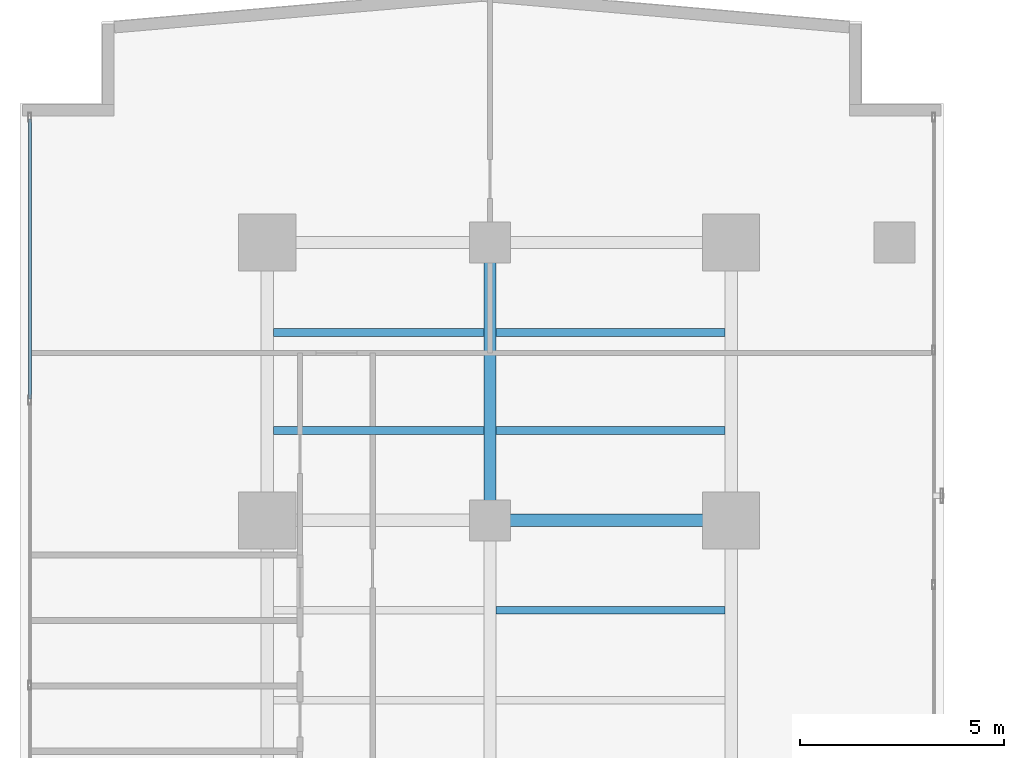
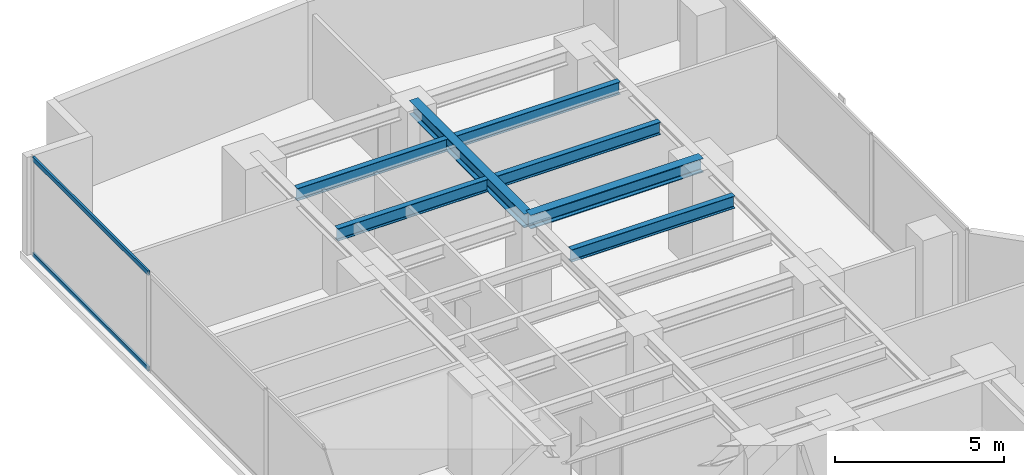
# One storey, part 16 of 28: 7 beams, 2 members, 1 element without a shape of its own.
"""IFC4 building model written with IfcOpenShell, lengths in metres."""

import ifcopenshell
import ifcopenshell.guid

model = None  # the IFC model being written
_history = None  # IfcOwnerHistory: only IFC2X3 demands one
_inside = {}  # id of a spatial element -> (the spatial element, [elements in it])
_under = {}  # id of a project, library or spatial element -> (it, [spatial elements below it])
_declared = {}  # id of a project -> (the project, [libraries it declares])
_typed = {}  # id of a type object -> (the type object, [elements of that type])
_made_of = {}  # id of a material, layer set ... -> (it, [elements and type objects made of it])


def new_model(schema):
    """Start an empty IFC model of exactly this schema.

    Asked for "IFC4X3", IfcOpenShell would pick the latest addendum, in which some entities
    have other attributes; the version numbers below select the first issue.
    IFC2X3 requires an IfcOwnerHistory on every rooted entity: one is made here for all.
    """
    global model, _history
    if schema == "IFC4X3":
        model = ifcopenshell.file(schema_version=(4, 3, 0, 0))
    else:
        model = ifcopenshell.file(schema=schema)
    _inside.clear()
    _under.clear()
    _declared.clear()
    _typed.clear()
    _made_of.clear()
    _history = None
    if model.schema == "IFC2X3":
        org = make("IfcOrganization", Name="unknown")
        user = make(
            "IfcPersonAndOrganization",
            ThePerson=make("IfcPerson", FamilyName="unknown"),
            TheOrganization=org,
        )
        app = make(
            "IfcApplication",
            ApplicationDeveloper=org,
            Version="unknown",
            ApplicationFullName="unknown",
            ApplicationIdentifier="unknown",
        )
        _history = make(
            "IfcOwnerHistory",
            OwningUser=user,
            OwningApplication=app,
            ChangeAction="ADDED",
            CreationDate=0,
        )
    return model


def make(cls, **values):
    """One entity of the class cls with the attributes given. An attribute that is None is left unset."""
    return model.create_entity(
        cls, **{name: value for name, value in values.items() if value is not None}
    )


def rooted(cls, **values):
    """An entity with a GlobalId (a new one), such as an element, a storey or a relation."""
    return make(cls, GlobalId=ifcopenshell.guid.new(), OwnerHistory=_history, **values)


def si_unit(unit_type, name, prefix=None):
    """IfcSIUnit, for example si_unit("LENGTHUNIT", "METRE", prefix="MILLI")."""
    return make("IfcSIUnit", UnitType=unit_type, Prefix=prefix, Name=name)


def assignment(units):
    """IfcUnitAssignment: the units of a project."""
    return None if units is None else make("IfcUnitAssignment", Units=units)


def point(xyz):
    """IfcCartesianPoint."""
    return None if xyz is None else make("IfcCartesianPoint", Coordinates=xyz)


def direction(xyz):
    """IfcDirection."""
    return None if xyz is None else make("IfcDirection", DirectionRatios=xyz)


def frame(location, z_axis=None, x_axis=None):
    """IfcAxis2Placement3D, a coordinate frame: its origin and axes. An axis left out is left unset."""
    return make(
        "IfcAxis2Placement3D",
        Location=point(location),
        Axis=direction(z_axis),
        RefDirection=direction(x_axis),
    )


def frame_2d(location, x_axis=None):
    """IfcAxis2Placement2D, a coordinate frame in the plane: its origin and x axis."""
    return make(
        "IfcAxis2Placement2D", Location=point(location), RefDirection=direction(x_axis)
    )


def origin():
    """The frame at (0, 0, 0) with its axes left unset."""
    return frame((0.0, 0.0, 0.0))


def origin_with_axes():
    """The frame at (0, 0, 0) with the z axis (0, 0, 1) and the x axis (1, 0, 0) written out."""
    return frame((0.0, 0.0, 0.0), z_axis=(0.0, 0.0, 1.0), x_axis=(1.0, 0.0, 0.0))


def origin_2d():
    """The frame at (0, 0) in the plane with its x axis left unset."""
    return frame_2d((0.0, 0.0))


def place(relative_to, where):
    """IfcLocalPlacement: puts the frame where relative to a parent placement (None: the world)."""
    return make(
        "IfcLocalPlacement", PlacementRelTo=relative_to, RelativePlacement=where
    )


def context(
    kind, dimensions, precision=None, world=None, true_north=None, identifier=None
):
    """IfcGeometricRepresentationContext, for example the 3D "Model" context."""
    return make(
        "IfcGeometricRepresentationContext",
        ContextIdentifier=identifier,
        ContextType=kind,
        CoordinateSpaceDimension=dimensions,
        Precision=precision,
        WorldCoordinateSystem=world,
        TrueNorth=true_north,
    )


def subcontext(parent, identifier, kind, view, scale=None):
    """IfcGeometricRepresentationSubContext, for example "Body" below "Model"."""
    return make(
        "IfcGeometricRepresentationSubContext",
        ContextIdentifier=identifier,
        ContextType=kind,
        ParentContext=parent,
        TargetScale=scale,
        TargetView=view,
    )


def project(units=None, contexts=None):
    """IfcProject with its units and contexts."""
    return rooted(
        "IfcProject",
        Name="project",
        RepresentationContexts=contexts,
        UnitsInContext=assignment(units),
    )


def spatial(cls, under=None, at=None, **own):
    """A site, building, storey or space (cls), placed at a placement, below another one or the project."""
    s = rooted(cls, ObjectPlacement=at, **own)
    if under is not None:
        _under.setdefault(under.id(), (under, []))[1].append(s)
    return s


def profile(cls, at=None, kind="AREA", **sizes):
    """A parametric profile (cls). Its sizes go by their IFC names, for example OverallWidth=200.0."""
    return make(cls, ProfileType=kind, Position=at, **sizes)


def hollow_rectangle(**sizes):
    """IfcRectangleHollowProfileDef."""
    return profile("IfcRectangleHollowProfileDef", **sizes)


def i_section(**sizes):
    """IfcIShapeProfileDef."""
    return profile("IfcIShapeProfileDef", **sizes)


def extrude(swept, where, along, depth):
    """IfcExtrudedAreaSolid: the profile swept, set in the frame where, extruded along a direction by depth."""
    return make(
        "IfcExtrudedAreaSolid",
        SweptArea=swept,
        Position=where,
        ExtrudedDirection=direction(along),
        Depth=depth,
    )


def shape(context_of_items, identifier, shape_type, items):
    """IfcShapeRepresentation: the items that make up one representation, for example the "Body"."""
    return make(
        "IfcShapeRepresentation",
        ContextOfItems=context_of_items,
        RepresentationIdentifier=identifier,
        RepresentationType=shape_type,
        Items=items,
    )


def source(mapping_origin, context_of_items, identifier, shape_type, items):
    """IfcRepresentationMap: a shape defined once, which mapped items show again and again."""
    return make(
        "IfcRepresentationMap",
        MappingOrigin=mapping_origin,
        MappedRepresentation=shape(context_of_items, identifier, shape_type, items),
    )


def transform(
    local_origin,
    x_axis=None,
    y_axis=None,
    z_axis=None,
    scale=None,
    scale2=None,
    scale3=None,
    uniform=True,
):
    """IfcCartesianTransformationOperator3D, or its non-uniform kind. x_axis, y_axis, z_axis: its Axis1, 2, 3."""
    if uniform:
        return make(
            "IfcCartesianTransformationOperator3D",
            Axis1=direction(x_axis),
            Axis2=direction(y_axis),
            LocalOrigin=point(local_origin),
            Scale=scale,
            Axis3=direction(z_axis),
        )
    return make(
        "IfcCartesianTransformationOperator3DnonUniform",
        Axis1=direction(x_axis),
        Axis2=direction(y_axis),
        LocalOrigin=point(local_origin),
        Scale=scale,
        Axis3=direction(z_axis),
        Scale2=scale2,
        Scale3=scale3,
    )


def mapped(mapping_source, mapping_target):
    """IfcMappedItem: shows the shape of a source again, moved by a transform."""
    return make(
        "IfcMappedItem", MappingSource=mapping_source, MappingTarget=mapping_target
    )


def material(Name=None, Category=None):
    """IfcMaterial."""
    return make("IfcMaterial", Name=Name, Category=Category)


def layer(
    of_material, thickness, ventilated=None, Name=None, Category=None, Priority=None
):
    """IfcMaterialLayer: one layer of a wall or slab, of a material (None: an air gap)."""
    return make(
        "IfcMaterialLayer",
        Material=of_material,
        LayerThickness=thickness,
        IsVentilated=ventilated,
        Name=Name,
        Category=Category,
        Priority=Priority,
    )


def layer_set(layers, Name=None):
    """IfcMaterialLayerSet."""
    return make("IfcMaterialLayerSet", MaterialLayers=layers, LayerSetName=Name)


def material_profile(
    of_material, cross_section, Name=None, Category=None, Priority=None
):
    """IfcMaterialProfile: a cross section and its material."""
    return make(
        "IfcMaterialProfile",
        Name=Name,
        Material=of_material,
        Profile=cross_section,
        Priority=Priority,
        Category=Category,
    )


def profile_set(profiles, Name=None, composite=None):
    """IfcMaterialProfileSet."""
    return make(
        "IfcMaterialProfileSet",
        Name=Name,
        MaterialProfiles=profiles,
        CompositeProfile=composite,
    )


def made_of(thing, what):
    """Note that an element or type object is made of a material, layer set ...; save() writes the relation."""
    if what is not None:
        _made_of.setdefault(what.id(), (what, []))[1].append(thing)
    return thing


def type_object(cls, material=None, **own):
    """A type object (cls), such as IfcWallType, which elements share."""
    return made_of(rooted(cls, **own), material)


def element(
    cls,
    number,
    at=None,
    inside=None,
    cuts=None,
    type_object=None,
    material=None,
    context=None,
    identifier="Body",
    shape_type=None,
    held_by="IfcProductDefinitionShape",
    body=None,
    shapes=None,
    **own,
):
    """One element of the class cls, such as IfcWall. Its Tag is "e" and its number.

    at: its placement. inside: the storey or other place that contains it. cuts: it is an
    opening in that element (IfcRelVoidsElement). A single representation is given by context,
    identifier, shape_type and body (its items); several are given by shapes. held_by: the class
    of the entity that holds the representations. save() writes the other relations.
    """
    e = rooted(cls, Tag="e%d" % number, ObjectPlacement=at, **own)
    if body is not None:
        shapes = [shape(context, identifier, shape_type, body)]
    if shapes is not None:
        e.Representation = make(held_by, Representations=shapes)
    if inside is not None:
        _inside.setdefault(inside.id(), (inside, []))[1].append(e)
    if cuts is not None:
        rooted(
            "IfcRelVoidsElement", RelatingBuildingElement=cuts, RelatedOpeningElement=e
        )
    if type_object is not None:
        _typed.setdefault(type_object.id(), (type_object, []))[1].append(e)
    return made_of(e, material)


def aggregate(whole, parts):
    """IfcRelAggregates: a whole, such as a stair, and the parts it consists of."""
    return rooted("IfcRelAggregates", RelatingObject=whole, RelatedObjects=parts)


def save(model, path):
    """Write the relations noted so far, then the file.

    IfcRelAggregates (storeys below a building ...), IfcRelContainedInSpatialStructure (elements
    in a storey), IfcRelDefinesByType, IfcRelAssociatesMaterial and IfcRelDeclares: one each for
    every whole, place, type object, material and project.
    """
    for whole, parts in _under.values():
        aggregate(whole, parts)
    for where, things in _inside.values():
        rooted(
            "IfcRelContainedInSpatialStructure",
            RelatedElements=things,
            RelatingStructure=where,
        )
    for kind, things in _typed.values():
        rooted("IfcRelDefinesByType", RelatedObjects=things, RelatingType=kind)
    for what, things in _made_of.values():
        rooted("IfcRelAssociatesMaterial", RelatedObjects=things, RelatingMaterial=what)
    for by, libraries in _declared.values():
        rooted("IfcRelDeclares", RelatingContext=by, RelatedDefinitions=libraries)
    model.write(path)


model = new_model("IFC4")

# Units and contexts
model_context = context("Model", 3, precision=1e-05, world=origin(), true_north=direction((0.0, 1.0)))
body_context = subcontext(model_context, "Body", "Model", "MODEL_VIEW")
ifc_project = project(units=[si_unit("LENGTHUNIT", "METRE"), si_unit("AREAUNIT", "SQUARE_METRE"), si_unit("VOLUMEUNIT", "CUBIC_METRE"), si_unit("PLANEANGLEUNIT", "RADIAN"), si_unit("MASSUNIT", "GRAM", prefix="KILO")], contexts=[model_context])

# Site, building, storey
site_placement = place(None, origin())
site = spatial("IfcSite", under=ifc_project, at=site_placement, CompositionType="ELEMENT")
building_placement = place(site_placement, origin())
building = spatial("IfcBuilding", under=site, at=building_placement, Name="Kolvaren Waterfront Exchange", CompositionType="ELEMENT")
storey_placement = place(building_placement, frame((0.0, 0.0, 103.10009765625)))
storey = spatial("IfcBuildingStorey", under=building, at=storey_placement, Name="L26", CompositionType="ELEMENT", Elevation=103.10009765625)

# Beams
ifc_material_1 = material(Name="Steel S355", Category="steel")
ifc_material_profile_1 = material_profile(ifc_material_1, i_section(OverallWidth=0.300048828125, OverallDepth=0.5, WebThickness=0.014404296875, FlangeThickness=0.028076171875, FilletRadius=0.027099609375, at=origin_2d()), Name="HEB500")
ifc_profile_set_1 = profile_set([ifc_material_profile_1], Name="Steel S355")
beam_type_1 = type_object("IfcBeamType", Name="STR-BM-HEB500", PredefinedType="BEAM", material=ifc_profile_set_1)
beam_1_placement = place(storey_placement, frame((12.89990234375, 37.800048828125, 3.289794921875), z_axis=(1.0, 0.0, 0.0), x_axis=(0.0, 1.0, 0.0)))
element("IfcBeam", 1, at=beam_1_placement, inside=storey, type_object=beam_type_1, Name="L26 north-arm girder 3B", PredefinedType="BEAM", context=body_context, shape_type="SweptSolid", body=[
    extrude(i_section(OverallWidth=0.300048828125, OverallDepth=0.5, WebThickness=0.014404296875, FlangeThickness=0.028076171875, FilletRadius=0.027099609375, at=origin_2d()), origin(), (0.0, 0.0, 1.0), 5.900146484375),
])
beam_2_placement = place(storey_placement, frame((12.89990234375, 37.800048828125, 3.289794921875), z_axis=(0.0, 1.0, 0.0), x_axis=(-1.0, 0.0, 0.0)))
element("IfcBeam", 2, at=beam_2_placement, inside=storey, type_object=beam_type_1, Name="L26 north-arm edge beam 3", PredefinedType="BEAM", context=body_context, shape_type="SweptSolid", body=[
    extrude(i_section(OverallWidth=0.300048828125, OverallDepth=0.5, WebThickness=0.014404296875, FlangeThickness=0.028076171875, FilletRadius=0.027099609375, at=origin_2d()), origin(), (0.0, 0.0, 1.0), 6.800048828125),
])
ifc_material_profile_2 = material_profile(ifc_material_1, i_section(OverallWidth=0.18994140625, OverallDepth=0.449951171875, WebThickness=0.009521484375, FlangeThickness=0.0146484375, FilletRadius=0.02099609375, at=origin_2d()), Name="IPE450")
ifc_profile_set_2 = profile_set([ifc_material_profile_2], Name="Steel S355")
beam_type_2 = type_object("IfcBeamType", Name="STR-BM-IPE450", PredefinedType="JOIST", material=ifc_profile_set_2)
beam_3_placement = place(storey_placement, frame((13.052001953125, 35.60009765625, 3.31494140625), z_axis=(1.0, 0.0, 0.0), x_axis=(0.0, 1.0, 0.0)))
element("IfcBeam", 3, at=beam_3_placement, inside=storey, type_object=beam_type_2, Name="L26 north-arm composite joist 4B", PredefinedType="JOIST", context=body_context, shape_type="SweptSolid", body=[
    extrude(i_section(OverallWidth=0.18994140625, OverallDepth=0.449951171875, WebThickness=0.009521484375, FlangeThickness=0.0146484375, FilletRadius=0.02099609375, at=origin_2d()), origin(), (0.0, 0.0, 1.0), 5.595947265625),
])
beam_4_placement = place(storey_placement, frame((7.60205078125, 40.0, 3.31494140625), z_axis=(1.0, 0.0, 0.0), x_axis=(0.0, 1.0, 0.0)))
element("IfcBeam", 4, at=beam_4_placement, inside=storey, type_object=beam_type_2, Name="L26 north-arm composite joist 5A", PredefinedType="JOIST", context=body_context, shape_type="SweptSolid", body=[
    extrude(i_section(OverallWidth=0.18994140625, OverallDepth=0.449951171875, WebThickness=0.009521484375, FlangeThickness=0.0146484375, FilletRadius=0.02099609375, at=origin_2d()), origin(), (0.0, 0.0, 1.0), 5.14599609375),
])
beam_5_placement = place(storey_placement, frame((13.052001953125, 40.0, 3.31494140625), z_axis=(1.0, 0.0, 0.0), x_axis=(0.0, 1.0, 0.0)))
element("IfcBeam", 5, at=beam_5_placement, inside=storey, type_object=beam_type_2, Name="L26 north-arm composite joist 5B", PredefinedType="JOIST", context=body_context, shape_type="SweptSolid", body=[
    extrude(i_section(OverallWidth=0.18994140625, OverallDepth=0.449951171875, WebThickness=0.009521484375, FlangeThickness=0.0146484375, FilletRadius=0.02099609375, at=origin_2d()), origin(), (0.0, 0.0, 1.0), 5.595947265625),
])
beam_6_placement = place(storey_placement, frame((7.60205078125, 42.39990234375, 3.31494140625), z_axis=(1.0, 0.0, 0.0), x_axis=(0.0, 1.0, 0.0)))
element("IfcBeam", 6, at=beam_6_placement, inside=storey, type_object=beam_type_2, Name="L26 north-arm composite joist 6A", PredefinedType="JOIST", context=body_context, shape_type="SweptSolid", body=[
    extrude(i_section(OverallWidth=0.18994140625, OverallDepth=0.449951171875, WebThickness=0.009521484375, FlangeThickness=0.0146484375, FilletRadius=0.02099609375, at=origin_2d()), origin(), (0.0, 0.0, 1.0), 5.14599609375),
])
beam_7_placement = place(storey_placement, frame((13.052001953125, 42.39990234375, 3.31494140625), z_axis=(1.0, 0.0, 0.0), x_axis=(0.0, 1.0, 0.0)))
element("IfcBeam", 7, at=beam_7_placement, inside=storey, type_object=beam_type_2, Name="L26 north-arm composite joist 6B", PredefinedType="JOIST", context=body_context, shape_type="SweptSolid", body=[
    extrude(i_section(OverallWidth=0.18994140625, OverallDepth=0.449951171875, WebThickness=0.009521484375, FlangeThickness=0.0146484375, FilletRadius=0.02099609375, at=origin_2d()), origin(), (0.0, 0.0, 1.0), 5.595947265625),
])

# Curtain wall, members
ifc_material_2 = material(Name="Anodised aluminium 6063-T6", Category="aluminium")
ifc_layer = layer(ifc_material_2, 0.219970703125, Name="Anodised aluminium 6063-T6")
ifc_layer_set = layer_set([ifc_layer], Name="Anodised aluminium 6063-T6")
curtain_wall_type = type_object("IfcCurtainWallType", Name="ARC-CW-SYS2", PredefinedType="USERDEFINED", material=ifc_layer_set)
curtain_wall_placement = place(storey_placement, origin())
curtain_wall = element("IfcCurtainWall", 8, at=curtain_wall_placement, inside=storey, type_object=curtain_wall_type, Name="L26 stick curtain wall CW2 (CW-L26-W)", ObjectType="STICK CURTAIN WALL", PredefinedType="USERDEFINED")
ifc_material_profile_3 = material_profile(ifc_material_2, hollow_rectangle(XDim=0.074951171875, YDim=0.159912109375, WallThickness=0.00439453125, at=origin_2d()), Name="ALU-TRN-160x75x4.5")
ifc_profile_set_3 = profile_set([ifc_material_profile_3], Name="Anodised aluminium 6063-T6")
member_type = type_object("IfcMemberType", Name="ARC-CWT-160", PredefinedType="USERDEFINED", material=ifc_profile_set_3)
shared_shape = source(origin_with_axes(), body_context, "Body", "SweptSolid", [
    extrude(hollow_rectangle(XDim=0.074951171875, YDim=0.159912109375, WallThickness=0.00439453125, at=origin_2d()), origin(), (0.0, 0.0, 1.0), 6.8466796875),
])
member_1_placement = place(storey_placement, frame((1.639892578125, 40.7734375, 0.037353515625), z_axis=(0.0, 1.0, 0.0), x_axis=(-1.0, 0.0, 0.0)))
member_1 = element("IfcMember", 9, at=member_1_placement, type_object=member_type, Name="CW2 transom 6.1", ObjectType="TRANSOM", PredefinedType="USERDEFINED", context=body_context, shape_type="MappedRepresentation", body=[
    mapped(shared_shape, transform((0.0, 0.0, 0.0), x_axis=(1.0, 0.0, 0.0), y_axis=(0.0, 1.0, 0.0), z_axis=(0.0, 0.0, 1.0), scale=1.0)),
])
member_2_placement = place(storey_placement, frame((1.639892578125, 40.7734375, 3.50244140625), z_axis=(0.0, 1.0, 0.0), x_axis=(-1.0, 0.0, 0.0)))
member_2 = element("IfcMember", 10, at=member_2_placement, type_object=member_type, Name="CW2 transom 6.2", ObjectType="TRANSOM", PredefinedType="USERDEFINED", context=body_context, shape_type="MappedRepresentation", body=[
    mapped(shared_shape, transform((0.0, 0.0, 0.0), x_axis=(1.0, 0.0, 0.0), y_axis=(0.0, 1.0, 0.0), z_axis=(0.0, 0.0, 1.0), scale=1.0)),
])
aggregate(curtain_wall, [member_1, member_2])

save(model, "model.ifc")
